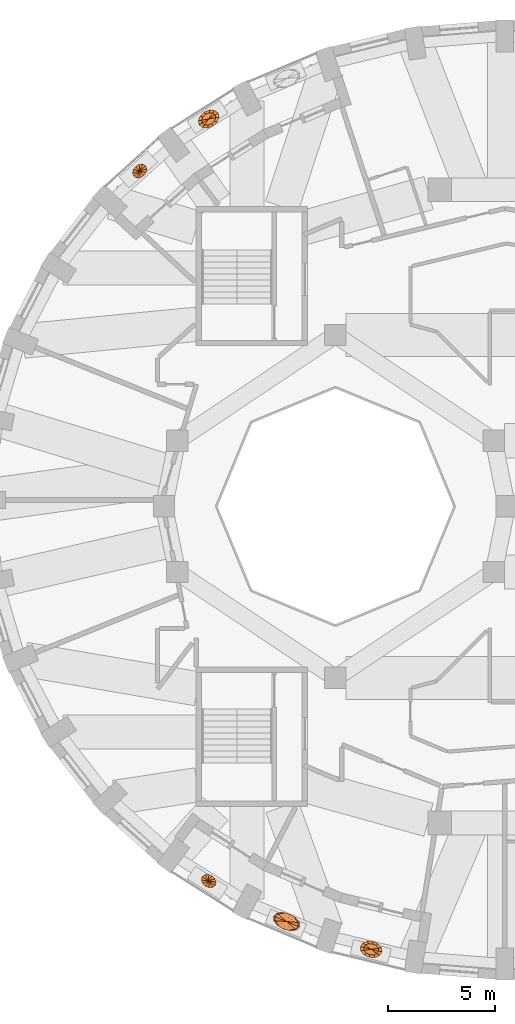
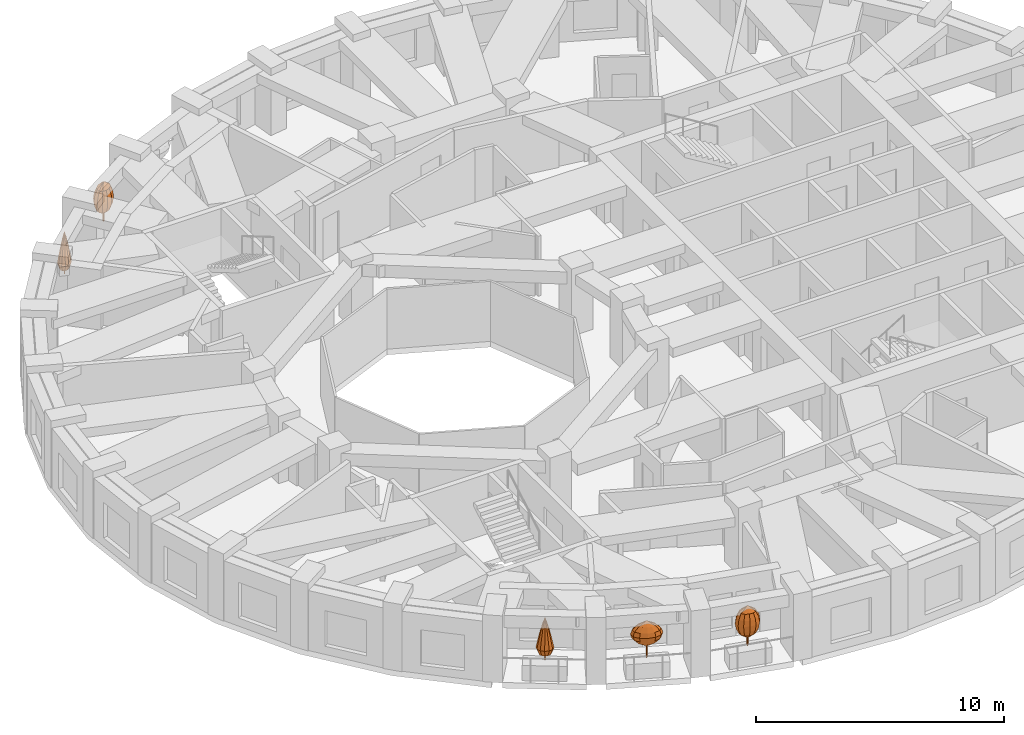
# One storey, part 11 of 12: 5 geographic elements.
"""IFC4 building model written with IfcOpenShell, lengths in metres."""

from ifc_helpers import new_model, si_unit, direction, frame, origin, place, context, subcontext, project, spatial, faceted_brep, material, constituent, constituent_set, type_object, element, save


model = new_model("IFC4")

# Units and contexts
model_context = context("Model", 3, precision=1e-05, world=origin(), true_north=direction((0.0, 1.0)))
body_context = subcontext(model_context, "Body", "Model", "MODEL_VIEW")
ifc_project = project(units=[si_unit("LENGTHUNIT", "METRE"), si_unit("AREAUNIT", "SQUARE_METRE"), si_unit("VOLUMEUNIT", "CUBIC_METRE"), si_unit("PLANEANGLEUNIT", "RADIAN"), si_unit("MASSUNIT", "GRAM", prefix="KILO")], contexts=[model_context])

# Site, building, storey
site_placement = place(None, origin())
site = spatial("IfcSite", under=ifc_project, at=site_placement, CompositionType="ELEMENT")
building_placement = place(site_placement, origin())
building = spatial("IfcBuilding", under=site, at=building_placement, Name="Taillehof Tower", CompositionType="ELEMENT")
storey_placement = place(building_placement, frame((0.0, 0.0, 256.39990234375)))
storey = spatial("IfcBuildingStorey", under=building, at=storey_placement, Name="L73", CompositionType="ELEMENT", Elevation=256.39990234375)

# Geographic elements
ifc_material_1 = material(Name="Tree bark", Category="timber")
ifc_constituent_1 = constituent(ifc_material_1, Name="Trunk", Category="timber")
ifc_material_2 = material(Name="Tree foliage")
ifc_constituent_2 = constituent(ifc_material_2, Name="Crown")
ifc_constituent_set_1 = constituent_set(constituents=[ifc_constituent_1, ifc_constituent_2], Name="Tree TR2 Fastigiate yew")
geographic_element_type_1 = type_object("IfcGeographicElementType", Name="Tree TR2 Fastigiate yew", PredefinedType="USERDEFINED", material=ifc_constituent_set_1)
geographic_element_1_placement = place(storey_placement, frame((-13.91650390625, 18.08251953125, 0.75)))
element("IfcGeographicElement", 1, at=geographic_element_1_placement, inside=storey, type_object=geographic_element_type_1, Name="Tree TR2 Fastigiate yew", ObjectType="TREE", PredefinedType="USERDEFINED", context=body_context, shape_type="Brep", body=[
    faceted_brep([(0.034912109375, 0.0, 0.0), (0.024658203125, 0.024658203125, 0.0), (0.024658203125, 0.024658203125, 0.909912109375), (0.034912109375, 0.0, 0.909912109375), (0.0, 0.034912109375, 0.0), (0.0, 0.034912109375, 0.909912109375), (-0.024658203125, 0.024658203125, 0.0), (-0.024658203125, 0.024658203125, 0.909912109375), (-0.034912109375, 0.0, 0.0), (-0.034912109375, 0.0, 0.909912109375), (-0.024658203125, -0.024658203125, 0.0), (-0.024658203125, -0.024658203125, 0.909912109375), (0.0, -0.034912109375, 0.0), (0.0, -0.034912109375, 0.909912109375), (0.024658203125, -0.024658203125, 0.0), (0.024658203125, -0.024658203125, 0.909912109375)], [[[0, 1, 2, 3]], [[1, 4, 5, 2]], [[4, 6, 7, 5]], [[6, 8, 9, 7]], [[8, 10, 11, 9]], [[10, 12, 13, 11]], [[12, 14, 15, 13]], [[14, 0, 3, 15]], [[14, 12, 10, 8, 6, 4, 1, 0]], [[3, 2, 5, 7, 9, 11, 13, 15]]]),
    faceted_brep([(0.0, 0.0, 0.35009765625), (-0.192138671875, -0.274658203125, 0.61669921875), (-0.302001953125, -0.1904296875, 0.61669921875), (-0.031005859375, -0.285400390625, 0.61669921875), (0.138427734375, -0.219482421875, 0.61669921875), (0.270751953125, -0.094970703125, 0.61669921875), (0.33056640625, 0.054931640625, 0.61669921875), (0.302001953125, 0.1904296875, 0.61669921875), (0.192138671875, 0.274658203125, 0.61669921875), (0.031005859375, 0.285400390625, 0.61669921875), (-0.138427734375, 0.219482421875, 0.61669921875), (-0.270751953125, 0.094970703125, 0.61669921875), (-0.33056640625, -0.054931640625, 0.61669921875), (-0.260009765625, -0.371337890625, 0.88330078125), (-0.408447265625, -0.257568359375, 0.88330078125), (-0.0419921875, -0.385986328125, 0.88330078125), (0.187255859375, -0.297119140625, 0.88330078125), (0.366455078125, -0.12841796875, 0.88330078125), (0.447265625, 0.074462890625, 0.88330078125), (0.408447265625, 0.257568359375, 0.88330078125), (0.260009765625, 0.371337890625, 0.88330078125), (0.0419921875, 0.385986328125, 0.88330078125), (-0.187255859375, 0.297119140625, 0.88330078125), (-0.366455078125, 0.12841796875, 0.88330078125), (-0.447265625, -0.074462890625, 0.88330078125), (-0.281494140625, -0.402099609375, 1.14990234375), (-0.44189453125, -0.278564453125, 1.14990234375), (-0.04541015625, -0.417724609375, 1.14990234375), (0.20263671875, -0.321533203125, 1.14990234375), (0.396484375, -0.13916015625, 1.14990234375), (0.484130859375, 0.08056640625, 1.14990234375), (0.44189453125, 0.278564453125, 1.14990234375), (0.281494140625, 0.402099609375, 1.14990234375), (0.04541015625, 0.417724609375, 1.14990234375), (-0.20263671875, 0.321533203125, 1.14990234375), (-0.396484375, 0.13916015625, 1.14990234375), (-0.484130859375, -0.08056640625, 1.14990234375), (-0.260009765625, -0.371337890625, 1.416748046875), (-0.408447265625, -0.257568359375, 1.416748046875), (-0.0419921875, -0.385986328125, 1.416748046875), (0.187255859375, -0.297119140625, 1.416748046875), (0.366455078125, -0.12841796875, 1.416748046875), (0.447265625, 0.074462890625, 1.416748046875), (0.408447265625, 0.257568359375, 1.416748046875), (0.260009765625, 0.371337890625, 1.416748046875), (0.0419921875, 0.385986328125, 1.416748046875), (-0.187255859375, 0.297119140625, 1.416748046875), (-0.366455078125, 0.12841796875, 1.416748046875), (-0.447265625, -0.074462890625, 1.416748046875), (-0.192138671875, -0.274658203125, 1.683349609375), (-0.302001953125, -0.1904296875, 1.683349609375), (-0.031005859375, -0.285400390625, 1.683349609375), (0.138427734375, -0.219482421875, 1.683349609375), (0.270751953125, -0.094970703125, 1.683349609375), (0.33056640625, 0.054931640625, 1.683349609375), (0.302001953125, 0.1904296875, 1.683349609375), (0.192138671875, 0.274658203125, 1.683349609375), (0.031005859375, 0.285400390625, 1.683349609375), (-0.138427734375, 0.219482421875, 1.683349609375), (-0.270751953125, 0.094970703125, 1.683349609375), (-0.33056640625, -0.054931640625, 1.683349609375), (0.0, 0.0, 1.949951171875)], [[[0, 1, 2]], [[0, 3, 1]], [[0, 4, 3]], [[0, 5, 4]], [[0, 6, 5]], [[0, 7, 6]], [[0, 8, 7]], [[0, 9, 8]], [[0, 10, 9]], [[0, 11, 10]], [[0, 12, 11]], [[0, 2, 12]], [[2, 1, 13, 14]], [[1, 3, 15, 13]], [[3, 4, 16, 15]], [[4, 5, 17, 16]], [[5, 6, 18, 17]], [[6, 7, 19, 18]], [[7, 8, 20, 19]], [[8, 9, 21, 20]], [[9, 10, 22, 21]], [[10, 11, 23, 22]], [[11, 12, 24, 23]], [[12, 2, 14, 24]], [[14, 13, 25, 26]], [[13, 15, 27, 25]], [[15, 16, 28, 27]], [[16, 17, 29, 28]], [[17, 18, 30, 29]], [[18, 19, 31, 30]], [[19, 20, 32, 31]], [[20, 21, 33, 32]], [[21, 22, 34, 33]], [[22, 23, 35, 34]], [[23, 24, 36, 35]], [[24, 14, 26, 36]], [[26, 25, 37, 38]], [[25, 27, 39, 37]], [[27, 28, 40, 39]], [[28, 29, 41, 40]], [[29, 30, 42, 41]], [[30, 31, 43, 42]], [[31, 32, 44, 43]], [[32, 33, 45, 44]], [[33, 34, 46, 45]], [[34, 35, 47, 46]], [[35, 36, 48, 47]], [[36, 26, 38, 48]], [[38, 37, 49, 50]], [[37, 39, 51, 49]], [[39, 40, 52, 51]], [[40, 41, 53, 52]], [[41, 42, 54, 53]], [[42, 43, 55, 54]], [[43, 44, 56, 55]], [[44, 45, 57, 56]], [[45, 46, 58, 57]], [[46, 47, 59, 58]], [[47, 48, 60, 59]], [[48, 38, 50, 60]], [[50, 49, 61]], [[49, 51, 61]], [[51, 52, 61]], [[52, 53, 61]], [[53, 54, 61]], [[54, 55, 61]], [[55, 56, 61]], [[56, 57, 61]], [[57, 58, 61]], [[58, 59, 61]], [[59, 60, 61]], [[60, 50, 61]]]),
])
geographic_element_2_placement = place(storey_placement, frame((-6.333984375, -20.666259765625, 0.75)))
element("IfcGeographicElement", 2, at=geographic_element_2_placement, inside=storey, type_object=geographic_element_type_1, Name="Tree TR2 Fastigiate yew", ObjectType="TREE", PredefinedType="USERDEFINED", context=body_context, shape_type="Brep", body=[
    faceted_brep([(0.034912109375, 0.0, 0.0), (0.024658203125, 0.024658203125, 0.0), (0.024658203125, 0.024658203125, 0.909912109375), (0.034912109375, 0.0, 0.909912109375), (0.0, 0.034912109375, 0.0), (0.0, 0.034912109375, 0.909912109375), (-0.024658203125, 0.024658203125, 0.0), (-0.024658203125, 0.024658203125, 0.909912109375), (-0.034912109375, 0.0, 0.0), (-0.034912109375, 0.0, 0.909912109375), (-0.024658203125, -0.024658203125, 0.0), (-0.024658203125, -0.024658203125, 0.909912109375), (0.0, -0.034912109375, 0.0), (0.0, -0.034912109375, 0.909912109375), (0.024658203125, -0.024658203125, 0.0), (0.024658203125, -0.024658203125, 0.909912109375)], [[[0, 1, 2, 3]], [[1, 4, 5, 2]], [[4, 6, 7, 5]], [[6, 8, 9, 7]], [[8, 10, 11, 9]], [[10, 12, 13, 11]], [[12, 14, 15, 13]], [[14, 0, 3, 15]], [[14, 12, 10, 8, 6, 4, 1, 0]], [[3, 2, 5, 7, 9, 11, 13, 15]]]),
    faceted_brep([(0.0, 0.0, 0.35009765625), (0.330810546875, 0.0537109375, 0.61669921875), (0.346923828125, -0.083740234375, 0.61669921875), (0.22607421875, 0.1767578125, 0.61669921875), (0.060791015625, 0.252197265625, 0.61669921875), (-0.120849609375, 0.26025390625, 0.61669921875), (-0.27001953125, 0.19873046875, 0.61669921875), (-0.346923828125, 0.083740234375, 0.61669921875), (-0.330810546875, -0.0537109375, 0.61669921875), (-0.22607421875, -0.1767578125, 0.61669921875), (-0.060791015625, -0.252197265625, 0.61669921875), (0.120849609375, -0.26025390625, 0.61669921875), (0.27001953125, -0.19873046875, 0.61669921875), (0.447509765625, 0.072509765625, 0.88330078125), (0.46923828125, -0.11328125, 0.88330078125), (0.305908203125, 0.239013671875, 0.88330078125), (0.082275390625, 0.34130859375, 0.88330078125), (-0.163330078125, 0.352294921875, 0.88330078125), (-0.365234375, 0.268798828125, 0.88330078125), (-0.46923828125, 0.11328125, 0.88330078125), (-0.447509765625, -0.072509765625, 0.88330078125), (-0.305908203125, -0.239013671875, 0.88330078125), (-0.082275390625, -0.34130859375, 0.88330078125), (0.163330078125, -0.352294921875, 0.88330078125), (0.365234375, -0.268798828125, 0.88330078125), (0.484375, 0.07861328125, 1.14990234375), (0.5078125, -0.12255859375, 1.14990234375), (0.3310546875, 0.258544921875, 1.14990234375), (0.089111328125, 0.369384765625, 1.14990234375), (-0.1767578125, 0.381103515625, 1.14990234375), (-0.395263671875, 0.290771484375, 1.14990234375), (-0.5078125, 0.12255859375, 1.14990234375), (-0.484375, -0.07861328125, 1.14990234375), (-0.3310546875, -0.258544921875, 1.14990234375), (-0.089111328125, -0.369384765625, 1.14990234375), (0.1767578125, -0.381103515625, 1.14990234375), (0.395263671875, -0.290771484375, 1.14990234375), (0.447509765625, 0.072509765625, 1.416748046875), (0.46923828125, -0.11328125, 1.416748046875), (0.305908203125, 0.239013671875, 1.416748046875), (0.082275390625, 0.34130859375, 1.416748046875), (-0.163330078125, 0.352294921875, 1.416748046875), (-0.365234375, 0.268798828125, 1.416748046875), (-0.46923828125, 0.11328125, 1.416748046875), (-0.447509765625, -0.072509765625, 1.416748046875), (-0.305908203125, -0.239013671875, 1.416748046875), (-0.082275390625, -0.34130859375, 1.416748046875), (0.163330078125, -0.352294921875, 1.416748046875), (0.365234375, -0.268798828125, 1.416748046875), (0.330810546875, 0.0537109375, 1.683349609375), (0.346923828125, -0.083740234375, 1.683349609375), (0.22607421875, 0.1767578125, 1.683349609375), (0.060791015625, 0.252197265625, 1.683349609375), (-0.120849609375, 0.26025390625, 1.683349609375), (-0.27001953125, 0.19873046875, 1.683349609375), (-0.346923828125, 0.083740234375, 1.683349609375), (-0.330810546875, -0.0537109375, 1.683349609375), (-0.22607421875, -0.1767578125, 1.683349609375), (-0.060791015625, -0.252197265625, 1.683349609375), (0.120849609375, -0.26025390625, 1.683349609375), (0.27001953125, -0.19873046875, 1.683349609375), (0.0, 0.0, 1.949951171875)], [[[0, 1, 2]], [[0, 3, 1]], [[0, 4, 3]], [[0, 5, 4]], [[0, 6, 5]], [[0, 7, 6]], [[0, 8, 7]], [[0, 9, 8]], [[0, 10, 9]], [[0, 11, 10]], [[0, 12, 11]], [[0, 2, 12]], [[2, 1, 13, 14]], [[1, 3, 15, 13]], [[3, 4, 16, 15]], [[4, 5, 17, 16]], [[5, 6, 18, 17]], [[6, 7, 19, 18]], [[7, 8, 20, 19]], [[8, 9, 21, 20]], [[9, 10, 22, 21]], [[10, 11, 23, 22]], [[11, 12, 24, 23]], [[12, 2, 14, 24]], [[14, 13, 25, 26]], [[13, 15, 27, 25]], [[15, 16, 28, 27]], [[16, 17, 29, 28]], [[17, 18, 30, 29]], [[18, 19, 31, 30]], [[19, 20, 32, 31]], [[20, 21, 33, 32]], [[21, 22, 34, 33]], [[22, 23, 35, 34]], [[23, 24, 36, 35]], [[24, 14, 26, 36]], [[26, 25, 37, 38]], [[25, 27, 39, 37]], [[27, 28, 40, 39]], [[28, 29, 41, 40]], [[29, 30, 42, 41]], [[30, 31, 43, 42]], [[31, 32, 44, 43]], [[32, 33, 45, 44]], [[33, 34, 46, 45]], [[34, 35, 47, 46]], [[35, 36, 48, 47]], [[36, 26, 38, 48]], [[38, 37, 49, 50]], [[37, 39, 51, 49]], [[39, 40, 52, 51]], [[40, 41, 53, 52]], [[41, 42, 54, 53]], [[42, 43, 55, 54]], [[43, 44, 56, 55]], [[44, 45, 57, 56]], [[45, 46, 58, 57]], [[46, 47, 59, 58]], [[47, 48, 60, 59]], [[48, 38, 50, 60]], [[50, 49, 61]], [[49, 51, 61]], [[51, 52, 61]], [[52, 53, 61]], [[53, 54, 61]], [[54, 55, 61]], [[55, 56, 61]], [[56, 57, 61]], [[57, 58, 61]], [[58, 59, 61]], [[59, 60, 61]], [[60, 50, 61]]]),
])
ifc_material_3 = material(Name="Tree bark", Category="timber")
ifc_constituent_3 = constituent(ifc_material_3, Name="Trunk", Category="timber")
ifc_material_4 = material(Name="Tree foliage")
ifc_constituent_4 = constituent(ifc_material_4, Name="Crown")
ifc_constituent_set_2 = constituent_set(constituents=[ifc_constituent_3, ifc_constituent_4], Name="Tree TR4 Sea buckthorn standard")
geographic_element_type_2 = type_object("IfcGeographicElementType", Name="Tree TR4 Sea buckthorn standard", PredefinedType="USERDEFINED", material=ifc_constituent_set_2)
geographic_element_3_placement = place(storey_placement, frame((-10.279541015625, -19.373291015625, 0.75)))
element("IfcGeographicElement", 3, at=geographic_element_3_placement, inside=storey, type_object=geographic_element_type_2, Name="Tree TR4 Sea buckthorn standard", ObjectType="TREE", PredefinedType="USERDEFINED", context=body_context, shape_type="Brep", body=[
    faceted_brep([(0.030029296875, 0.0, 0.0), (0.021240234375, 0.021240234375, 0.0), (0.021240234375, 0.021240234375, 0.98095703125), (0.030029296875, 0.0, 0.98095703125), (0.0, 0.030029296875, 0.0), (0.0, 0.030029296875, 0.98095703125), (-0.021240234375, 0.021240234375, 0.0), (-0.021240234375, 0.021240234375, 0.98095703125), (-0.030029296875, 0.0, 0.0), (-0.030029296875, 0.0, 0.98095703125), (-0.021240234375, -0.021240234375, 0.0), (-0.021240234375, -0.021240234375, 0.98095703125), (0.0, -0.030029296875, 0.0), (0.0, -0.030029296875, 0.98095703125), (0.021240234375, -0.021240234375, 0.0), (0.021240234375, -0.021240234375, 0.98095703125)], [[[0, 1, 2, 3]], [[1, 4, 5, 2]], [[4, 6, 7, 5]], [[6, 8, 9, 7]], [[8, 10, 11, 9]], [[10, 12, 13, 11]], [[12, 14, 15, 13]], [[14, 0, 3, 15]], [[14, 12, 10, 8, 6, 4, 1, 0]], [[3, 2, 5, 7, 9, 11, 13, 15]]]),
    faceted_brep([(0.0, 0.0, 0.5400390625), (0.34716796875, -0.02734375, 0.75), (0.35205078125, -0.14794921875, 0.75), (0.249267578125, 0.100341796875, 0.75), (0.08447265625, 0.201171875, 0.75), (-0.10302734375, 0.248291015625, 0.75), (-0.2626953125, 0.228759765625, 0.75), (-0.35205078125, 0.14794921875, 0.75), (-0.34716796875, 0.02734375, 0.75), (-0.249267578125, -0.100341796875, 0.75), (-0.08447265625, -0.201171875, 0.75), (0.10302734375, -0.248291015625, 0.75), (0.2626953125, -0.228759765625, 0.75), (0.538818359375, -0.04248046875, 0.9599609375), (0.54638671875, -0.2294921875, 0.9599609375), (0.38671875, 0.15576171875, 0.9599609375), (0.131103515625, 0.312255859375, 0.9599609375), (-0.15966796875, 0.38525390625, 0.9599609375), (-0.40771484375, 0.354736328125, 0.9599609375), (-0.54638671875, 0.2294921875, 0.9599609375), (-0.538818359375, 0.04248046875, 0.9599609375), (-0.38671875, -0.15576171875, 0.9599609375), (-0.131103515625, -0.312255859375, 0.9599609375), (0.15966796875, -0.38525390625, 0.9599609375), (0.40771484375, -0.354736328125, 0.9599609375), (0.6044921875, -0.0478515625, 1.169921875), (0.613037109375, -0.25732421875, 1.169921875), (0.43408203125, 0.1748046875, 1.169921875), (0.147216796875, 0.350341796875, 1.169921875), (-0.17919921875, 0.43212890625, 1.169921875), (-0.45751953125, 0.398193359375, 1.169921875), (-0.613037109375, 0.25732421875, 1.169921875), (-0.6044921875, 0.0478515625, 1.169921875), (-0.43408203125, -0.1748046875, 1.169921875), (-0.147216796875, -0.350341796875, 1.169921875), (0.17919921875, -0.43212890625, 1.169921875), (0.45751953125, -0.398193359375, 1.169921875), (0.538818359375, -0.04248046875, 1.3798828125), (0.54638671875, -0.2294921875, 1.3798828125), (0.38671875, 0.15576171875, 1.3798828125), (0.131103515625, 0.312255859375, 1.3798828125), (-0.15966796875, 0.38525390625, 1.3798828125), (-0.40771484375, 0.354736328125, 1.3798828125), (-0.54638671875, 0.2294921875, 1.3798828125), (-0.538818359375, 0.04248046875, 1.3798828125), (-0.38671875, -0.15576171875, 1.3798828125), (-0.131103515625, -0.312255859375, 1.3798828125), (0.15966796875, -0.38525390625, 1.3798828125), (0.40771484375, -0.354736328125, 1.3798828125), (0.34716796875, -0.02734375, 1.590087890625), (0.35205078125, -0.14794921875, 1.590087890625), (0.249267578125, 0.100341796875, 1.590087890625), (0.08447265625, 0.201171875, 1.590087890625), (-0.10302734375, 0.248291015625, 1.590087890625), (-0.2626953125, 0.228759765625, 1.590087890625), (-0.35205078125, 0.14794921875, 1.590087890625), (-0.34716796875, 0.02734375, 1.590087890625), (-0.249267578125, -0.100341796875, 1.590087890625), (-0.08447265625, -0.201171875, 1.590087890625), (0.10302734375, -0.248291015625, 1.590087890625), (0.2626953125, -0.228759765625, 1.590087890625), (0.0, 0.0, 1.800048828125)], [[[0, 1, 2]], [[0, 3, 1]], [[0, 4, 3]], [[0, 5, 4]], [[0, 6, 5]], [[0, 7, 6]], [[0, 8, 7]], [[0, 9, 8]], [[0, 10, 9]], [[0, 11, 10]], [[0, 12, 11]], [[0, 2, 12]], [[2, 1, 13, 14]], [[1, 3, 15, 13]], [[3, 4, 16, 15]], [[4, 5, 17, 16]], [[5, 6, 18, 17]], [[6, 7, 19, 18]], [[7, 8, 20, 19]], [[8, 9, 21, 20]], [[9, 10, 22, 21]], [[10, 11, 23, 22]], [[11, 12, 24, 23]], [[12, 2, 14, 24]], [[14, 13, 25, 26]], [[13, 15, 27, 25]], [[15, 16, 28, 27]], [[16, 17, 29, 28]], [[17, 18, 30, 29]], [[18, 19, 31, 30]], [[19, 20, 32, 31]], [[20, 21, 33, 32]], [[21, 22, 34, 33]], [[22, 23, 35, 34]], [[23, 24, 36, 35]], [[24, 14, 26, 36]], [[26, 25, 37, 38]], [[25, 27, 39, 37]], [[27, 28, 40, 39]], [[28, 29, 41, 40]], [[29, 30, 42, 41]], [[30, 31, 43, 42]], [[31, 32, 44, 43]], [[32, 33, 45, 44]], [[33, 34, 46, 45]], [[34, 35, 47, 46]], [[35, 36, 48, 47]], [[36, 26, 38, 48]], [[38, 37, 49, 50]], [[37, 39, 51, 49]], [[39, 40, 52, 51]], [[40, 41, 53, 52]], [[41, 42, 54, 53]], [[42, 43, 55, 54]], [[43, 44, 56, 55]], [[44, 45, 57, 56]], [[45, 46, 58, 57]], [[46, 47, 59, 58]], [[47, 48, 60, 59]], [[48, 38, 50, 60]], [[50, 49, 61]], [[49, 51, 61]], [[51, 52, 61]], [[52, 53, 61]], [[53, 54, 61]], [[54, 55, 61]], [[55, 56, 61]], [[56, 57, 61]], [[57, 58, 61]], [[58, 59, 61]], [[59, 60, 61]], [[60, 50, 61]]]),
])
ifc_material_5 = material(Name="Tree bark", Category="timber")
ifc_constituent_5 = constituent(ifc_material_5, Name="Trunk", Category="timber")
ifc_material_6 = material(Name="Tree foliage")
ifc_constituent_6 = constituent(ifc_material_6, Name="Crown")
ifc_constituent_set_3 = constituent_set(constituents=[ifc_constituent_5, ifc_constituent_6], Name="Tree TR5 Columnar juniper")
geographic_element_type_3 = type_object("IfcGeographicElementType", Name="Tree TR5 Columnar juniper", PredefinedType="USERDEFINED", material=ifc_constituent_set_3)
geographic_element_4_placement = place(storey_placement, frame((-17.134033203125, 15.651611328125, 0.75)))
element("IfcGeographicElement", 4, at=geographic_element_4_placement, inside=storey, type_object=geographic_element_type_3, Name="Tree TR5 Columnar juniper", ObjectType="TREE", PredefinedType="USERDEFINED", context=body_context, shape_type="Brep", body=[
    faceted_brep([(0.02490234375, 0.0, 0.0), (0.017578125, 0.017578125, 0.0), (0.017578125, 0.017578125, 0.929931640625), (0.02490234375, 0.0, 0.929931640625), (0.0, 0.02490234375, 0.0), (0.0, 0.02490234375, 0.929931640625), (-0.017578125, 0.017578125, 0.0), (-0.017578125, 0.017578125, 0.929931640625), (-0.02490234375, 0.0, 0.0), (-0.02490234375, 0.0, 0.929931640625), (-0.017578125, -0.017578125, 0.0), (-0.017578125, -0.017578125, 0.929931640625), (0.0, -0.02490234375, 0.0), (0.0, -0.02490234375, 0.929931640625), (0.017578125, -0.017578125, 0.0), (0.017578125, -0.017578125, 0.929931640625)], [[[0, 1, 2, 3]], [[1, 4, 5, 2]], [[4, 6, 7, 5]], [[6, 8, 9, 7]], [[8, 10, 11, 9]], [[10, 12, 13, 11]], [[12, 14, 15, 13]], [[14, 0, 3, 15]], [[14, 12, 10, 8, 6, 4, 1, 0]], [[3, 2, 5, 7, 9, 11, 13, 15]]]),
    faceted_brep([(-0.183837890625, -0.16552734375, 0.300048828125), (-0.094970703125, -0.21484375, 0.300048828125), (-0.1416015625, -0.32080078125, 0.60009765625), (-0.274658203125, -0.247314453125, 0.60009765625), (0.01953125, -0.206787109375, 0.300048828125), (0.029296875, -0.30859375, 0.60009765625), (0.12890625, -0.14306640625, 0.300048828125), (0.1923828125, -0.213623046875, 0.60009765625), (0.20361328125, -0.041015625, 0.300048828125), (0.3037109375, -0.061279296875, 0.60009765625), (0.2236328125, 0.07177734375, 0.300048828125), (0.333984375, 0.107421875, 0.60009765625), (0.183837890625, 0.16552734375, 0.300048828125), (0.274658203125, 0.247314453125, 0.60009765625), (0.094970703125, 0.21484375, 0.300048828125), (0.1416015625, 0.32080078125, 0.60009765625), (-0.01953125, 0.206787109375, 0.300048828125), (-0.029296875, 0.30859375, 0.60009765625), (-0.12890625, 0.14306640625, 0.300048828125), (-0.1923828125, 0.213623046875, 0.60009765625), (-0.20361328125, 0.041015625, 0.300048828125), (-0.3037109375, 0.061279296875, 0.60009765625), (-0.2236328125, -0.07177734375, 0.300048828125), (-0.333984375, -0.107421875, 0.60009765625), (-0.118408203125, -0.268310546875, 0.89990234375), (-0.229736328125, -0.206787109375, 0.89990234375), (0.0244140625, -0.258056640625, 0.89990234375), (0.160888671875, -0.1787109375, 0.89990234375), (0.254150390625, -0.05126953125, 0.89990234375), (0.279296875, 0.08984375, 0.89990234375), (0.229736328125, 0.206787109375, 0.89990234375), (0.118408203125, 0.268310546875, 0.89990234375), (-0.0244140625, 0.258056640625, 0.89990234375), (-0.160888671875, 0.1787109375, 0.89990234375), (-0.254150390625, 0.05126953125, 0.89990234375), (-0.279296875, -0.08984375, 0.89990234375), (-0.09423828125, -0.213134765625, 1.199951171875), (-0.182373046875, -0.164306640625, 1.199951171875), (0.01953125, -0.205078125, 1.199951171875), (0.127685546875, -0.141845703125, 1.199951171875), (0.201904296875, -0.040771484375, 1.199951171875), (0.221923828125, 0.0712890625, 1.199951171875), (0.182373046875, 0.164306640625, 1.199951171875), (0.09423828125, 0.213134765625, 1.199951171875), (-0.01953125, 0.205078125, 1.199951171875), (-0.127685546875, 0.141845703125, 1.199951171875), (-0.201904296875, 0.040771484375, 1.199951171875), (-0.221923828125, -0.0712890625, 1.199951171875), (-0.068115234375, -0.154052734375, 1.5), (-0.1318359375, -0.118896484375, 1.5), (0.01416015625, -0.148193359375, 1.5), (0.09228515625, -0.1025390625, 1.5), (0.14599609375, -0.029541015625, 1.5), (0.160400390625, 0.051513671875, 1.5), (0.1318359375, 0.118896484375, 1.5), (0.068115234375, 0.154052734375, 1.5), (-0.01416015625, 0.148193359375, 1.5), (-0.09228515625, 0.1025390625, 1.5), (-0.14599609375, 0.029541015625, 1.5), (-0.160400390625, -0.051513671875, 1.5), (-0.0390625, -0.088623046875, 1.800048828125), (-0.07568359375, -0.068115234375, 1.800048828125), (0.008056640625, -0.085205078125, 1.800048828125), (0.052978515625, -0.058837890625, 1.800048828125), (0.083740234375, -0.016845703125, 1.800048828125), (0.092041015625, 0.029541015625, 1.800048828125), (0.07568359375, 0.068115234375, 1.800048828125), (0.0390625, 0.088623046875, 1.800048828125), (-0.008056640625, 0.085205078125, 1.800048828125), (-0.052978515625, 0.058837890625, 1.800048828125), (-0.083740234375, 0.016845703125, 1.800048828125), (-0.092041015625, -0.029541015625, 1.800048828125), (0.0, 0.0, 2.10009765625)], [[[0, 1, 2, 3]], [[1, 4, 5, 2]], [[4, 6, 7, 5]], [[6, 8, 9, 7]], [[8, 10, 11, 9]], [[10, 12, 13, 11]], [[12, 14, 15, 13]], [[14, 16, 17, 15]], [[16, 18, 19, 17]], [[18, 20, 21, 19]], [[20, 22, 23, 21]], [[22, 0, 3, 23]], [[3, 2, 24, 25]], [[2, 5, 26, 24]], [[5, 7, 27, 26]], [[7, 9, 28, 27]], [[9, 11, 29, 28]], [[11, 13, 30, 29]], [[13, 15, 31, 30]], [[15, 17, 32, 31]], [[17, 19, 33, 32]], [[19, 21, 34, 33]], [[21, 23, 35, 34]], [[23, 3, 25, 35]], [[25, 24, 36, 37]], [[24, 26, 38, 36]], [[26, 27, 39, 38]], [[27, 28, 40, 39]], [[28, 29, 41, 40]], [[29, 30, 42, 41]], [[30, 31, 43, 42]], [[31, 32, 44, 43]], [[32, 33, 45, 44]], [[33, 34, 46, 45]], [[34, 35, 47, 46]], [[35, 25, 37, 47]], [[37, 36, 48, 49]], [[36, 38, 50, 48]], [[38, 39, 51, 50]], [[39, 40, 52, 51]], [[40, 41, 53, 52]], [[41, 42, 54, 53]], [[42, 43, 55, 54]], [[43, 44, 56, 55]], [[44, 45, 57, 56]], [[45, 46, 58, 57]], [[46, 47, 59, 58]], [[47, 37, 49, 59]], [[49, 48, 60, 61]], [[48, 50, 62, 60]], [[50, 51, 63, 62]], [[51, 52, 64, 63]], [[52, 53, 65, 64]], [[53, 54, 66, 65]], [[54, 55, 67, 66]], [[55, 56, 68, 67]], [[56, 57, 69, 68]], [[57, 58, 70, 69]], [[58, 59, 71, 70]], [[59, 49, 61, 71]], [[61, 60, 72]], [[60, 62, 72]], [[62, 63, 72]], [[63, 64, 72]], [[64, 65, 72]], [[65, 66, 72]], [[66, 67, 72]], [[67, 68, 72]], [[68, 69, 72]], [[69, 70, 72]], [[70, 71, 72]], [[71, 61, 72]], [[22, 20, 18, 16, 14, 12, 10, 8, 6, 4, 1, 0]]]),
])
geographic_element_5_placement = place(storey_placement, frame((-13.91650390625, -17.482666015625, 0.75)))
element("IfcGeographicElement", 5, at=geographic_element_5_placement, inside=storey, type_object=geographic_element_type_3, Name="Tree TR5 Columnar juniper", ObjectType="TREE", PredefinedType="USERDEFINED", context=body_context, shape_type="Brep", body=[
    faceted_brep([(0.02490234375, 0.0, 0.0), (0.017578125, 0.017578125, 0.0), (0.017578125, 0.017578125, 0.929931640625), (0.02490234375, 0.0, 0.929931640625), (0.0, 0.02490234375, 0.0), (0.0, 0.02490234375, 0.929931640625), (-0.017578125, 0.017578125, 0.0), (-0.017578125, 0.017578125, 0.929931640625), (-0.02490234375, 0.0, 0.0), (-0.02490234375, 0.0, 0.929931640625), (-0.017578125, -0.017578125, 0.0), (-0.017578125, -0.017578125, 0.929931640625), (0.0, -0.02490234375, 0.0), (0.0, -0.02490234375, 0.929931640625), (0.017578125, -0.017578125, 0.0), (0.017578125, -0.017578125, 0.929931640625)], [[[0, 1, 2, 3]], [[1, 4, 5, 2]], [[4, 6, 7, 5]], [[6, 8, 9, 7]], [[8, 10, 11, 9]], [[10, 12, 13, 11]], [[12, 14, 15, 13]], [[14, 0, 3, 15]], [[14, 12, 10, 8, 6, 4, 1, 0]], [[3, 2, 5, 7, 9, 11, 13, 15]]]),
    faceted_brep([(0.20947265625, -0.132080078125, 0.300048828125), (0.232666015625, -0.032958984375, 0.300048828125), (0.347412109375, -0.049072265625, 0.60009765625), (0.3125, -0.197021484375, 0.60009765625), (0.193603515625, 0.074951171875, 0.300048828125), (0.2890625, 0.112060546875, 0.60009765625), (0.1025390625, 0.162841796875, 0.300048828125), (0.1533203125, 0.2431640625, 0.60009765625), (-0.015869140625, 0.20703125, 0.300048828125), (-0.0234375, 0.30908203125, 0.60009765625), (-0.1298828125, 0.19580078125, 0.300048828125), (-0.194091796875, 0.292236328125, 0.60009765625), (-0.20947265625, 0.132080078125, 0.300048828125), (-0.3125, 0.197021484375, 0.60009765625), (-0.232666015625, 0.032958984375, 0.300048828125), (-0.347412109375, 0.049072265625, 0.60009765625), (-0.193603515625, -0.074951171875, 0.300048828125), (-0.2890625, -0.112060546875, 0.60009765625), (-0.1025390625, -0.162841796875, 0.300048828125), (-0.1533203125, -0.2431640625, 0.60009765625), (0.015869140625, -0.20703125, 0.300048828125), (0.0234375, -0.30908203125, 0.60009765625), (0.1298828125, -0.19580078125, 0.300048828125), (0.194091796875, -0.292236328125, 0.60009765625), (0.29052734375, -0.041015625, 0.89990234375), (0.261474609375, -0.164794921875, 0.89990234375), (0.24169921875, 0.09375, 0.89990234375), (0.128173828125, 0.203369140625, 0.89990234375), (-0.019775390625, 0.258544921875, 0.89990234375), (-0.162353515625, 0.244384765625, 0.89990234375), (-0.261474609375, 0.164794921875, 0.89990234375), (-0.29052734375, 0.041015625, 0.89990234375), (-0.24169921875, -0.09375, 0.89990234375), (-0.128173828125, -0.203369140625, 0.89990234375), (0.019775390625, -0.258544921875, 0.89990234375), (0.162353515625, -0.244384765625, 0.89990234375), (0.230712890625, -0.03271484375, 1.199951171875), (0.207763671875, -0.130859375, 1.199951171875), (0.192138671875, 0.074462890625, 1.199951171875), (0.101806640625, 0.16162109375, 1.199951171875), (-0.015625, 0.205322265625, 1.199951171875), (-0.12890625, 0.194091796875, 1.199951171875), (-0.207763671875, 0.130859375, 1.199951171875), (-0.230712890625, 0.03271484375, 1.199951171875), (-0.192138671875, -0.074462890625, 1.199951171875), (-0.101806640625, -0.16162109375, 1.199951171875), (0.015625, -0.205322265625, 1.199951171875), (0.12890625, -0.194091796875, 1.199951171875), (0.166748046875, -0.023681640625, 1.5), (0.150146484375, -0.0947265625, 1.5), (0.138916015625, 0.0537109375, 1.5), (0.07373046875, 0.11669921875, 1.5), (-0.01123046875, 0.1484375, 1.5), (-0.09326171875, 0.140380859375, 1.5), (-0.150146484375, 0.0947265625, 1.5), (-0.166748046875, 0.023681640625, 1.5), (-0.138916015625, -0.0537109375, 1.5), (-0.07373046875, -0.11669921875, 1.5), (0.01123046875, -0.1484375, 1.5), (0.09326171875, -0.140380859375, 1.5), (0.095947265625, -0.013427734375, 1.800048828125), (0.086181640625, -0.054443359375, 1.800048828125), (0.079833984375, 0.031005859375, 1.800048828125), (0.042236328125, 0.067138671875, 1.800048828125), (-0.006591796875, 0.085205078125, 1.800048828125), (-0.053466796875, 0.08056640625, 1.800048828125), (-0.086181640625, 0.054443359375, 1.800048828125), (-0.095947265625, 0.013427734375, 1.800048828125), (-0.079833984375, -0.031005859375, 1.800048828125), (-0.042236328125, -0.067138671875, 1.800048828125), (0.006591796875, -0.085205078125, 1.800048828125), (0.053466796875, -0.08056640625, 1.800048828125), (0.0, 0.0, 2.10009765625)], [[[0, 1, 2, 3]], [[1, 4, 5, 2]], [[4, 6, 7, 5]], [[6, 8, 9, 7]], [[8, 10, 11, 9]], [[10, 12, 13, 11]], [[12, 14, 15, 13]], [[14, 16, 17, 15]], [[16, 18, 19, 17]], [[18, 20, 21, 19]], [[20, 22, 23, 21]], [[22, 0, 3, 23]], [[3, 2, 24, 25]], [[2, 5, 26, 24]], [[5, 7, 27, 26]], [[7, 9, 28, 27]], [[9, 11, 29, 28]], [[11, 13, 30, 29]], [[13, 15, 31, 30]], [[15, 17, 32, 31]], [[17, 19, 33, 32]], [[19, 21, 34, 33]], [[21, 23, 35, 34]], [[23, 3, 25, 35]], [[25, 24, 36, 37]], [[24, 26, 38, 36]], [[26, 27, 39, 38]], [[27, 28, 40, 39]], [[28, 29, 41, 40]], [[29, 30, 42, 41]], [[30, 31, 43, 42]], [[31, 32, 44, 43]], [[32, 33, 45, 44]], [[33, 34, 46, 45]], [[34, 35, 47, 46]], [[35, 25, 37, 47]], [[37, 36, 48, 49]], [[36, 38, 50, 48]], [[38, 39, 51, 50]], [[39, 40, 52, 51]], [[40, 41, 53, 52]], [[41, 42, 54, 53]], [[42, 43, 55, 54]], [[43, 44, 56, 55]], [[44, 45, 57, 56]], [[45, 46, 58, 57]], [[46, 47, 59, 58]], [[47, 37, 49, 59]], [[49, 48, 60, 61]], [[48, 50, 62, 60]], [[50, 51, 63, 62]], [[51, 52, 64, 63]], [[52, 53, 65, 64]], [[53, 54, 66, 65]], [[54, 55, 67, 66]], [[55, 56, 68, 67]], [[56, 57, 69, 68]], [[57, 58, 70, 69]], [[58, 59, 71, 70]], [[59, 49, 61, 71]], [[61, 60, 72]], [[60, 62, 72]], [[62, 63, 72]], [[63, 64, 72]], [[64, 65, 72]], [[65, 66, 72]], [[66, 67, 72]], [[67, 68, 72]], [[68, 69, 72]], [[69, 70, 72]], [[70, 71, 72]], [[71, 61, 72]], [[22, 20, 18, 16, 14, 12, 10, 8, 6, 4, 1, 0]]]),
])

save(model, "model.ifc")
